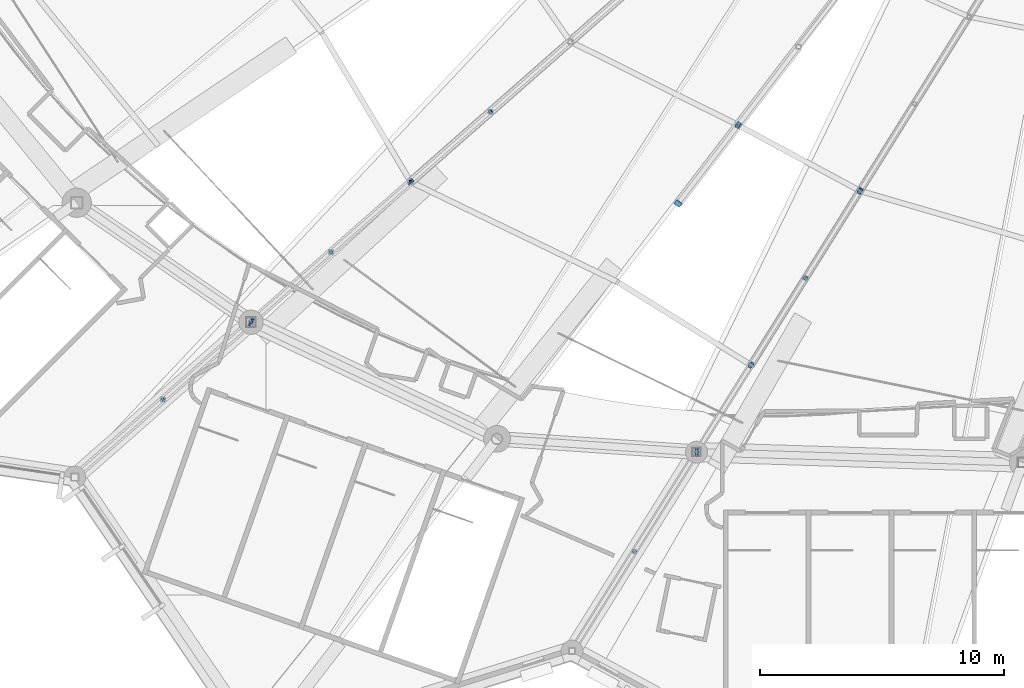
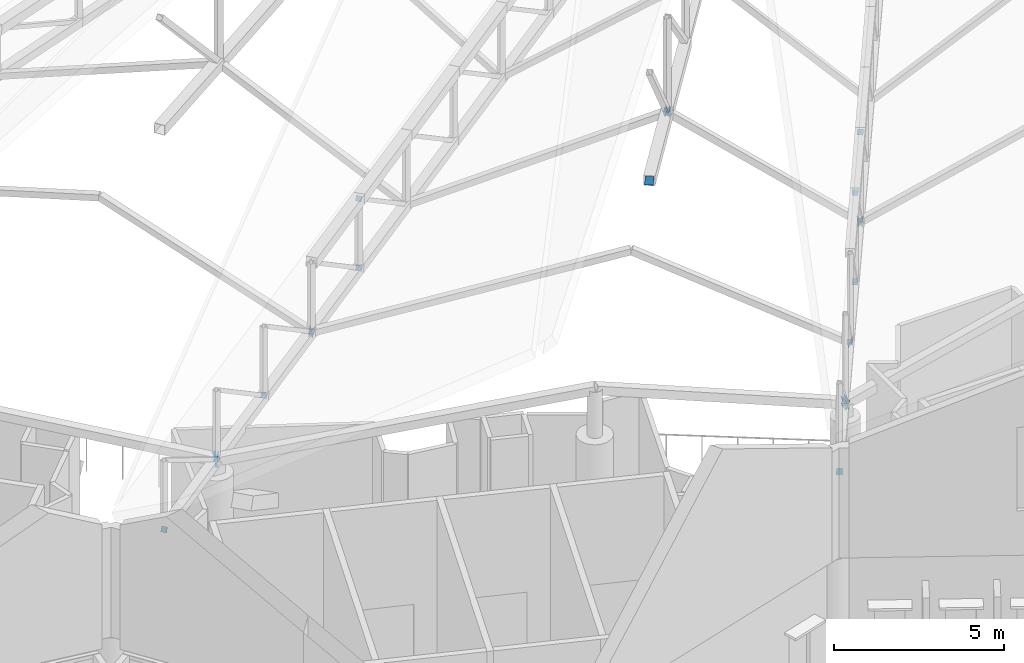
# One storey, part 277 of 344: 26 discrete accessories.
"""IFC4 building model written with IfcOpenShell, lengths in metres."""

from ifc_helpers import new_model, si_unit, direction, frame, origin, origin_2d, place, context, subcontext, project, spatial, rectangle, extrude, material, material_profile, profile_set, type_object, element, save


model = new_model("IFC4")

# Units and contexts
model_context = context("Model", 3, precision=1e-05, world=origin(), true_north=direction((0.0, 1.0)))
body_context = subcontext(model_context, "Body", "Model", "MODEL_VIEW")
ifc_project = project(units=[si_unit("LENGTHUNIT", "METRE"), si_unit("AREAUNIT", "SQUARE_METRE"), si_unit("VOLUMEUNIT", "CUBIC_METRE"), si_unit("PLANEANGLEUNIT", "RADIAN"), si_unit("MASSUNIT", "GRAM", prefix="KILO")], contexts=[model_context])

# Site, building, storey
site_placement = place(None, origin())
site = spatial("IfcSite", under=ifc_project, at=site_placement, CompositionType="ELEMENT")
building_placement = place(site_placement, origin())
building = spatial("IfcBuilding", under=site, at=building_placement, Name="Meseta Stadium", CompositionType="ELEMENT")
storey_placement = place(building_placement, frame((0.0, 0.0, 24.0)))
storey = spatial("IfcBuildingStorey", under=building, at=storey_placement, Name="L04", CompositionType="ELEMENT", Elevation=24.0)

# Discrete accessories
ifc_material_1 = material(Name="Steel S355", Category="steel")
ifc_material_profile_1 = material_profile(ifc_material_1, rectangle(XDim=0.179931640625, YDim=0.179931640625, at=origin_2d()), Name="PL 180x180")
ifc_profile_set_1 = profile_set([ifc_material_profile_1], Name="Steel S355")
discrete_accessory_type_1 = type_object("IfcDiscreteAccessoryType", Name="End plate 180x180x20", PredefinedType="ANCHORPLATE", material=ifc_profile_set_1)
for number, where, z_axis, x_axis, name in (
    (1, (-54.791259765625, -76.15234375, 6.417724609375), (-0.613369973061, -0.539765576293, 0.576567774677), (0.660627894892, -0.750713516923, 0.0), "End plate of ROOF TRUSS RT-41 diagonal"),
    (2, (-54.77880859375, -76.1416015625, 3.91259765625), (-0.620936240212, -0.535709697438, 0.572235358627), (0.653233256547, -0.757156729179, 0.0), "End plate of ROOF TRUSS RT-41 diagonal"),
    (3, (-58.055908203125, -79.021728515625, 4.515869140625), (-0.613369973061, -0.539765576293, 0.576567774677), (0.660627894892, -0.750713516923, 0.0), "End plate of ROOF TRUSS RT-41 diagonal"),
    (4, (-61.3330078125, -81.90185546875, 5.119140625), (-0.609031921418, -0.535948090848, 0.584670644561), (0.660627894892, -0.750713516923, 0.0), "End plate of ROOF TRUSS RT-41 diagonal"),
    (5, (-64.609619140625, -84.781494140625, 5.72314453125), (-0.625355108861, -0.551783919583, 0.551783919583), (0.661621637087, -0.749837855365, 0.0), "End plate of ROOF TRUSS RT-41 diagonal"),
    (6, (-68.226806640625, -87.960693359375, 6.38916015625), (-0.632736394544, -0.547560341432, 0.547560341432), (0.654376744439, -0.756168682463, 0.0), "End plate of ROOF TRUSS RT-41 diagonal"),
    (7, (-39.62548828125, -79.40087890625, 5.462158203125), (-0.392114465117, -0.612678851745, 0.686200313954), (0.842271400662, -0.539053696423, 0.0), "End plate of ROOF TRUSS RT-43 diagonal"),
    (8, (-39.617919921875, -79.388427734375, 2.248291015625), (-0.378781816324, -0.623157181694, 0.684251023036), (0.854521941471, -0.519415297757, 0.0), "End plate of ROOF TRUSS RT-43 diagonal"),
    (9, (-41.861328125, -82.97607421875, 6.24072265625), (-0.388829709183, -0.607546420598, 0.692602919482), (0.842271400662, -0.539053696423, 0.0), "End plate of ROOF TRUSS RT-43 diagonal"),
    (10, (-41.853759765625, -82.963623046875, 3.027099609375), (-0.378781816324, -0.623157181694, 0.684251023036), (0.854521941471, -0.519415297757, 0.0), "End plate of ROOF TRUSS RT-43 diagonal"),
):
    element("IfcDiscreteAccessory", number, at=place(storey_placement, frame(where, z_axis=z_axis, x_axis=x_axis)), inside=storey, type_object=discrete_accessory_type_1, Name=name, PredefinedType="ANCHORPLATE", context=body_context, shape_type="SweptSolid", body=[
        extrude(rectangle(XDim=0.179931640625, YDim=0.179931640625, at=origin_2d()), origin(), (0.0, 0.0, 1.0), 0.02001953125),
    ])
discrete_accessory_1_placement = place(storey_placement, frame((-44.089599609375, -86.538818359375, 3.805908203125), z_axis=(-0.381670375162, -0.615597379294, 0.68946906481), x_axis=(0.849902691712, -0.526939668862, 0.0)))
element("IfcDiscreteAccessory", 11, at=discrete_accessory_1_placement, inside=storey, type_object=discrete_accessory_type_1, Name="End plate of ROOF TRUSS RT-43 diagonal", PredefinedType="ANCHORPLATE", context=body_context, shape_type="SweptSolid", body=[
    extrude(rectangle(XDim=0.179931640625, YDim=0.179931640625, at=origin_2d()), origin(), (0.0, 0.0, 1.0), 0.019775390625),
])
discrete_accessory_2_placement = place(storey_placement, frame((-46.324951171875, -90.11328125, 4.58544921875), z_axis=(-0.413101070966, -0.643951669447, 0.643951669447), x_axis=(0.841694082266, -0.539954694284, 0.0)))
element("IfcDiscreteAccessory", 12, at=discrete_accessory_2_placement, inside=storey, type_object=discrete_accessory_type_1, Name="End plate of ROOF TRUSS RT-43 diagonal", PredefinedType="ANCHORPLATE", context=body_context, shape_type="SweptSolid", body=[
    extrude(rectangle(XDim=0.179931640625, YDim=0.179931640625, at=origin_2d()), origin(), (0.0, 0.0, 1.0), 0.02001953125),
])
discrete_accessory_3_placement = place(storey_placement, frame((-48.879150390625, -94.197509765625, 5.47509765625), z_axis=(-0.40614038847, -0.639978793953, 0.652286078453), x_axis=(0.844329420183, -0.535824439731, 0.0)))
element("IfcDiscreteAccessory", 13, at=discrete_accessory_3_placement, inside=storey, type_object=discrete_accessory_type_1, Name="End plate of ROOF TRUSS RT-43 diagonal", PredefinedType="ANCHORPLATE", context=body_context, shape_type="SweptSolid", body=[
    extrude(rectangle(XDim=0.179931640625, YDim=0.179931640625, at=origin_2d()), origin(), (0.0, 0.0, 1.0), 0.019775390625),
])
ifc_material_2 = material(Name="Steel S355", Category="steel")
ifc_material_profile_2 = material_profile(ifc_material_2, rectangle(XDim=0.219970703125, YDim=0.219970703125, at=origin_2d()), Name="PL 220x220")
ifc_profile_set_2 = profile_set([ifc_material_profile_2], Name="Steel S355")
discrete_accessory_type_2 = type_object("IfcDiscreteAccessoryType", Name="End plate 220x220x20", PredefinedType="ANCHORPLATE", material=ifc_profile_set_2)
discrete_accessory_4_placement = place(storey_placement, frame((-44.614501953125, -76.6923828125, 6.3017578125), z_axis=(-0.416559077473, -0.551328190774, 0.722852516792), x_axis=(0.797867323922, -0.602833089186, 0.0)))
element("IfcDiscreteAccessory", 14, at=discrete_accessory_4_placement, inside=storey, type_object=discrete_accessory_type_2, Name="End plate of ROOF TRUSS RT-42 diagonal", PredefinedType="ANCHORPLATE", context=body_context, shape_type="SweptSolid", body=[
    extrude(rectangle(XDim=0.219970703125, YDim=0.219970703125, at=origin_2d()), origin(), (0.0, 0.0, 1.0), 0.02001953125),
])
ifc_material_3 = material(Name="Steel S355", Category="steel")
ifc_material_profile_3 = material_profile(ifc_material_3, rectangle(XDim=0.260009765625, YDim=0.260009765625, at=origin_2d()), Name="PL 260x260")
ifc_profile_set_3 = profile_set([ifc_material_profile_3], Name="Steel S355")
discrete_accessory_type_3 = type_object("IfcDiscreteAccessoryType", Name="End plate 260x260x20", PredefinedType="ANCHORPLATE", material=ifc_profile_set_3)
discrete_accessory_5_placement = place(storey_placement, frame((-47.090087890625, -79.912109375, 6.635498046875), z_axis=(-0.39294133793, -0.515735506033, 0.76132384224), x_axis=(0.795431720032, -0.606043215263, 0.0)))
element("IfcDiscreteAccessory", 15, at=discrete_accessory_5_placement, inside=storey, type_object=discrete_accessory_type_3, Name="End plate of ROOF TRUSS RT-42 diagonal", PredefinedType="ANCHORPLATE", context=body_context, shape_type="SweptSolid", body=[
    extrude(rectangle(XDim=0.260009765625, YDim=0.260009765625, at=origin_2d()), origin(), (0.0, 0.0, 1.0), 0.019775390625),
])
for number, where, z_axis, x_axis, name in (
    (16, (-58.068115234375, -79.032470703125, 4.52734375), (0.486324434944, -0.814593428531, -0.316110882714), (0.858621611902, 0.512609917554, 0.0), "End plate of ROOF TRUSS STRUT RT-40/41"),
    (17, (-44.622802734375, -76.703369140625, 6.316162109375), (0.831994933195, -0.415997466598, 0.367056588174), (0.4472135955, 0.894427191, 0.0), "End plate of ROOF TRUSS STRUT RT-41/42"),
    (18, (-58.08544921875, -79.02392578125, 4.5224609375), (0.869612340392, -0.42868213963, 0.244961222646), (0.442153277977, 0.896939506753, 0.0), "End plate of ROOF TRUSS STRUT RT-41/42"),
):
    element("IfcDiscreteAccessory", number, at=place(storey_placement, frame(where, z_axis=z_axis, x_axis=x_axis)), inside=storey, type_object=discrete_accessory_type_3, Name=name, PredefinedType="ANCHORPLATE", context=body_context, shape_type="SweptSolid", body=[
        extrude(rectangle(XDim=0.260009765625, YDim=0.260009765625, at=origin_2d()), origin(), (0.0, 0.0, 1.0), 0.02001953125),
    ])
discrete_accessory_6_placement = place(storey_placement, frame((-44.63720703125, -76.695556640625, 6.327880859375), z_axis=(0.715007083864, -0.387800452265, -0.581700678397), x_axis=(0.476763040378, 0.879031855697, 0.0)))
element("IfcDiscreteAccessory", 19, at=discrete_accessory_6_placement, inside=storey, type_object=discrete_accessory_type_3, Name="End plate of ROOF TRUSS STRUT RT-42/43", PredefinedType="ANCHORPLATE", context=body_context, shape_type="SweptSolid", body=[
    extrude(rectangle(XDim=0.260009765625, YDim=0.260009765625, at=origin_2d()), origin(), (0.0, 0.0, 1.0), 0.020263671875),
])
discrete_accessory_7_placement = place(storey_placement, frame((-39.62548828125, -79.40087890625, 2.261962890625), z_axis=(0.714092959981, -0.393982322748, -0.578661536537), x_axis=(0.483077342911, 0.875577684027, 0.0)))
element("IfcDiscreteAccessory", 20, at=discrete_accessory_7_placement, inside=storey, type_object=discrete_accessory_type_3, Name="End plate of ROOF TRUSS STRUT RT-42/43", PredefinedType="ANCHORPLATE", context=body_context, shape_type="SweptSolid", body=[
    extrude(rectangle(XDim=0.260009765625, YDim=0.260009765625, at=origin_2d()), origin(), (0.0, 0.0, 1.0), 0.019775390625),
])
for number, where, z_axis, x_axis, name in (
    (21, (-44.09716796875, -86.551025390625, 3.819580078125), (0.759664746416, -0.47785363081, -0.44109565921), (0.532451118741, 0.846460752871, 0.0), "End plate of ROOF TRUSS STRUT RT-42/43"),
    (22, (-39.642822265625, -79.395751953125, 2.253173828125), (0.86239765409, -0.255075362477, 0.437272049961), (0.28362844186, 0.958934255811, 0.0), "End plate of ROOF TRUSS STRUT RT-43/44"),
):
    element("IfcDiscreteAccessory", number, at=place(storey_placement, frame(where, z_axis=z_axis, x_axis=x_axis)), inside=storey, type_object=discrete_accessory_type_3, Name=name, PredefinedType="ANCHORPLATE", context=body_context, shape_type="SweptSolid", body=[
        extrude(rectangle(XDim=0.260009765625, YDim=0.260009765625, at=origin_2d()), origin(), (0.0, 0.0, 1.0), 0.02001953125),
    ])
ifc_material_4 = material(Name="Steel S355", Category="steel")
ifc_material_profile_4 = material_profile(ifc_material_4, rectangle(XDim=0.340087890625, YDim=0.340087890625, at=origin_2d()), Name="PL 340x340")
ifc_profile_set_4 = profile_set([ifc_material_profile_4], Name="Steel S355")
discrete_accessory_type_4 = type_object("IfcDiscreteAccessoryType", Name="End plate 340x340x20", PredefinedType="ANCHORPLATE", material=ifc_profile_set_4)
for number, where, z_axis, x_axis, name in (
    (23, (-64.6220703125, -84.79248046875, 5.734130859375), (0.804638751005, -0.560808826458, -0.195063939638), (0.571792661688, 0.82039816677, 0.0), "End plate of ROOF PIVOT STRUT RT-40/41"),
    (24, (-64.639892578125, -84.7841796875, 5.730712890625), (0.89310418461, -0.415966332558, 0.171280254583), (0.42220553922, 0.906500128324, 0.0), "End plate of ROOF PIVOT STRUT RT-41/42"),
    (25, (-46.333251953125, -90.126220703125, 4.598388671875), (0.934105640733, -0.060656210437, -0.351806020536), (0.064798594974, 0.997898362605, 0.0), "End plate of ROOF PIVOT STRUT RT-42/43"),
    (26, (-46.3525390625, -90.125732421875, 4.593017578125), (0.963056633824, -0.024381180603, 0.268192986635), (0.025308346645, 0.999679692497, 0.0), "End plate of ROOF PIVOT STRUT RT-43/44"),
):
    element("IfcDiscreteAccessory", number, at=place(storey_placement, frame(where, z_axis=z_axis, x_axis=x_axis)), inside=storey, type_object=discrete_accessory_type_4, Name=name, PredefinedType="ANCHORPLATE", context=body_context, shape_type="SweptSolid", body=[
        extrude(rectangle(XDim=0.340087890625, YDim=0.340087890625, at=origin_2d()), origin(), (0.0, 0.0, 1.0), 0.02001953125),
    ])

save(model, "model.ifc")
